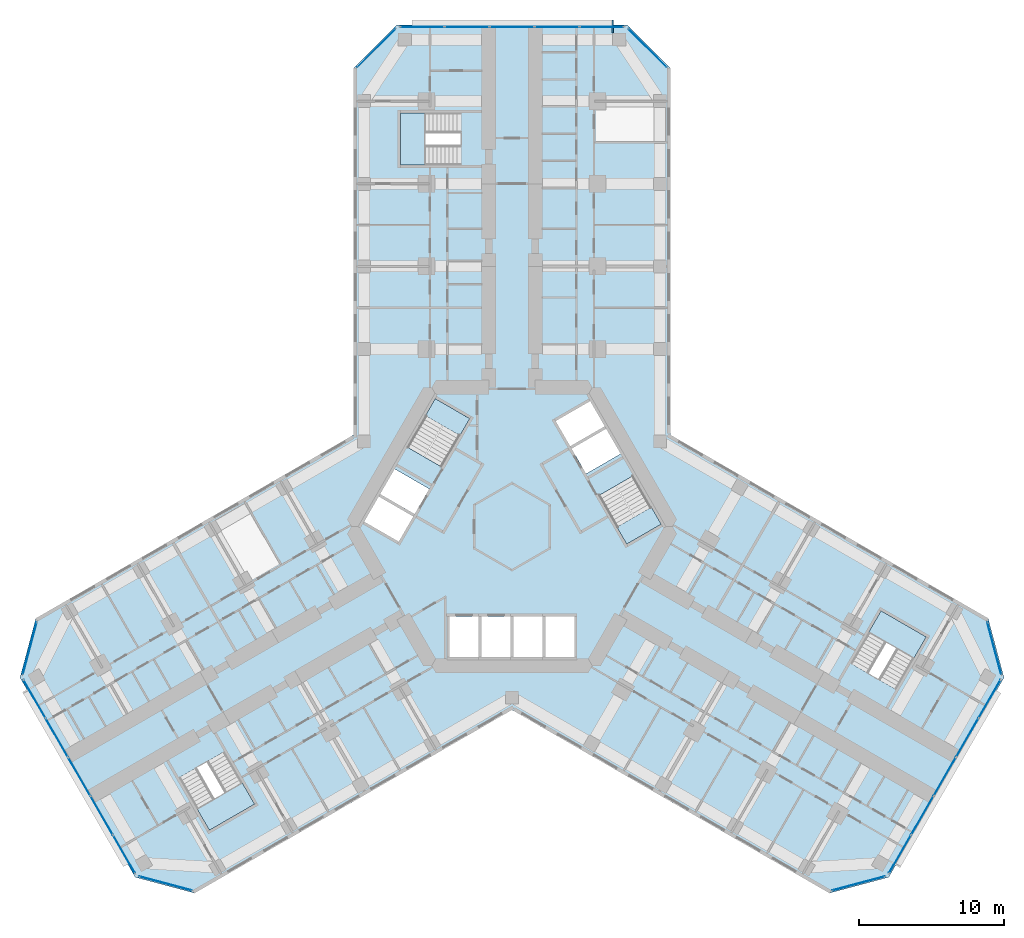
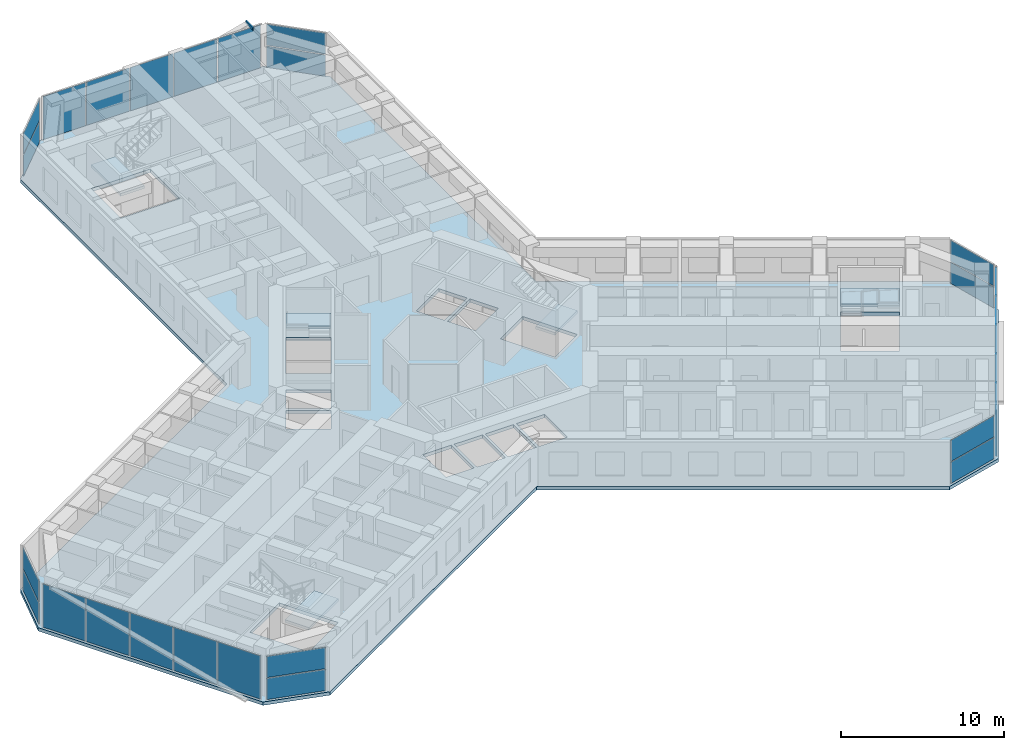
# One storey, part 9 of 22: 27 plates, 6 slabs, 1 member, 14 elements without a shape of their own.
"""IFC4 building model written with IfcOpenShell, lengths in metres."""

from ifc_helpers import new_model, si_unit, direction, frame, origin, origin_2d, place, context, subcontext, project, spatial, polyline, rectangle, hollow_rectangle, outline, extrude, material, layer, layer_set, material_profile, profile_set, type_object, element, aggregate, save


model = new_model("IFC4")

# Units and contexts
model_context = context("Model", 3, precision=1e-05, world=origin(), true_north=direction((0.0, 1.0)))
body_context = subcontext(model_context, "Body", "Model", "MODEL_VIEW")
ifc_project = project(units=[si_unit("LENGTHUNIT", "METRE"), si_unit("AREAUNIT", "SQUARE_METRE"), si_unit("VOLUMEUNIT", "CUBIC_METRE"), si_unit("PLANEANGLEUNIT", "RADIAN"), si_unit("MASSUNIT", "GRAM", prefix="KILO")], contexts=[model_context])

# Site, building, storey
site_placement = place(None, origin())
site = spatial("IfcSite", under=ifc_project, at=site_placement, CompositionType="ELEMENT")
building_placement = place(site_placement, origin())
building = spatial("IfcBuilding", under=site, at=building_placement, Name="Kosmar Iwan School Tower", CompositionType="ELEMENT")
storey_placement = place(building_placement, frame((0.0, 0.0, 95.199951171875)))
storey = spatial("IfcBuildingStorey", under=building, at=storey_placement, Name="L23", CompositionType="ELEMENT", Elevation=95.199951171875)

# Member
ifc_material_1 = material(Name="Steel S355", Category="steel")
ifc_material_profile = material_profile(ifc_material_1, hollow_rectangle(XDim=0.10009765625, YDim=0.199951171875, WallThickness=0.008056640625, at=origin_2d()), Name="RHS 200x100x8")
ifc_profile_set = profile_set([ifc_material_profile], Name="Steel S355")
member_type = type_object("IfcMemberType", Name="Fin bracket RHS 200x100", PredefinedType="USERDEFINED", material=ifc_profile_set)
member_placement = place(storey_placement, frame((6.949951171875, 34.050048828125, 3.47509765625), z_axis=(0.0, 1.0, 0.0), x_axis=(-1.0, 0.0, 0.0)))
element("IfcMember", 1, at=member_placement, inside=storey, type_object=member_type, Name="Fin bracket L24", ObjectType="FIN BRACKET", PredefinedType="USERDEFINED", context=body_context, shape_type="SweptSolid", body=[
    extrude(hollow_rectangle(XDim=0.10009765625, YDim=0.199951171875, WallThickness=0.008056640625, at=origin_2d()), origin(), (0.0, 0.0, 1.0), 0.89990234375),
])

# Curtain wall, plates
ifc_material_2 = material(Name="Dark glass in black aluminium frame", Category="aluminium")
curtain_wall_type_1 = type_object("IfcCurtainWallType", Name="Chamfer curtain wall dark glass", PredefinedType="USERDEFINED", material=ifc_material_2)
curtain_wall_1_placement = place(storey_placement, origin())
curtain_wall_1 = element("IfcCurtainWall", 2, at=curtain_wall_1_placement, inside=storey, type_object=curtain_wall_type_1, Name="Curtain wall L23-F02", ObjectType="FACETED CURTAIN WALL", PredefinedType="USERDEFINED")
ifc_material_3 = material(Name="Dark glass", Category="glass")
ifc_layer_1 = layer(ifc_material_3, 0.028076171875)
ifc_layer_set_1 = layer_set([ifc_layer_1], Name="Dark glass panel 28")
plate_type = type_object("IfcPlateType", Name="Dark glass panel 28", PredefinedType="CURTAIN_PANEL", material=ifc_layer_set_1)
plate_1_placement = place(storey_placement, frame((23.908203125, -24.61328125, 0.06005859375), z_axis=(0.0, 0.0, 1.0), x_axis=(0.965925875495, 0.258818861462, 0.0)))
plate_1 = element("IfcPlate", 3, at=plate_1_placement, type_object=plate_type, Name="CW2 panel 1.1", PredefinedType="CURTAIN_PANEL", context=body_context, shape_type="SweptSolid", body=[
    extrude(rectangle(XDim=3.718994140625, YDim=0.028076171875, at=origin_2d()), origin(), (0.0, 0.0, 1.0), 1.5849609375),
])
plate_2_placement = place(storey_placement, frame((23.908203125, -24.61328125, 1.705078125), z_axis=(0.0, 0.0, 1.0), x_axis=(0.965925875495, 0.258818861462, 0.0)))
plate_2 = element("IfcPlate", 4, at=plate_2_placement, type_object=plate_type, Name="CW2 panel 1.2", PredefinedType="CURTAIN_PANEL", context=body_context, shape_type="SweptSolid", body=[
    extrude(rectangle(XDim=3.718994140625, YDim=0.028076171875, at=origin_2d()), origin(), (0.0, 0.0, 1.0), 1.5849609375),
])
aggregate(curtain_wall_1, [plate_1, plate_2])

ifc_material_4 = material(Name="Dark glass in black aluminium frame", Category="aluminium")
curtain_wall_type_2 = type_object("IfcCurtainWallType", Name="Tower curtain wall dark glass", PredefinedType="USERDEFINED", material=ifc_material_4)
curtain_wall_2_placement = place(storey_placement, origin())
curtain_wall_2 = element("IfcCurtainWall", 5, at=curtain_wall_2_placement, inside=storey, type_object=curtain_wall_type_2, Name="Curtain wall L23-F03", ObjectType="UNITISED CURTAIN WALL", PredefinedType="USERDEFINED")
plate_3_placement = place(storey_placement, frame((26.764404296875, -22.592529296875, 0.06005859375), z_axis=(0.0, 0.0, 1.0), x_axis=(0.499999997325, 0.866025405329, 0.0)))
plate_3 = element("IfcPlate", 6, at=plate_3_placement, type_object=plate_type, Name="CW1 panel 1.1", PredefinedType="CURTAIN_PANEL", context=body_context, shape_type="SweptSolid", body=[
    extrude(rectangle(XDim=3.00927734375, YDim=0.028076171875, at=origin_2d()), origin(), (0.0, 0.0, 1.0), 3.22998046875),
])
plate_4_placement = place(storey_placement, frame((28.306640625, -19.921630859375, 0.06005859375), z_axis=(0.0, 0.0, 1.0), x_axis=(0.499999997325, 0.866025405329, 0.0)))
plate_4 = element("IfcPlate", 7, at=plate_4_placement, type_object=plate_type, Name="CW1 panel 2.1", PredefinedType="CURTAIN_PANEL", context=body_context, shape_type="SweptSolid", body=[
    extrude(rectangle(XDim=3.039306640625, YDim=0.028076171875, at=origin_2d()), origin(), (0.0, 0.0, 1.0), 3.22998046875),
])
plate_5_placement = place(storey_placement, frame((29.856201171875, -17.237548828125, 0.06005859375), z_axis=(0.0, 0.0, 1.0), x_axis=(0.499999997325, 0.866025405329, 0.0)))
plate_5 = element("IfcPlate", 8, at=plate_5_placement, type_object=plate_type, Name="CW1 panel 3.1", PredefinedType="CURTAIN_PANEL", context=body_context, shape_type="SweptSolid", body=[
    extrude(rectangle(XDim=3.039306640625, YDim=0.028076171875, at=origin_2d()), origin(), (0.0, 0.0, 1.0), 3.22998046875),
])
plate_6_placement = place(storey_placement, frame((31.40576171875, -14.553466796875, 0.06005859375), z_axis=(0.0, 0.0, 1.0), x_axis=(0.499999997325, 0.866025405329, 0.0)))
plate_6 = element("IfcPlate", 9, at=plate_6_placement, type_object=plate_type, Name="CW1 panel 4.1", PredefinedType="CURTAIN_PANEL", context=body_context, shape_type="SweptSolid", body=[
    extrude(rectangle(XDim=3.039306640625, YDim=0.028076171875, at=origin_2d()), origin(), (0.0, 0.0, 1.0), 3.22998046875),
])
plate_7_placement = place(storey_placement, frame((32.947998046875, -11.88232421875, 0.06005859375), z_axis=(0.0, 0.0, 1.0), x_axis=(0.499999997325, 0.866025405329, 0.0)))
plate_7 = element("IfcPlate", 10, at=plate_7_placement, type_object=plate_type, Name="CW1 panel 5.1", PredefinedType="CURTAIN_PANEL", context=body_context, shape_type="SweptSolid", body=[
    extrude(rectangle(XDim=3.00927734375, YDim=0.028076171875, at=origin_2d()), origin(), (0.0, 0.0, 1.0), 3.22998046875),
])
aggregate(curtain_wall_2, [plate_3, plate_4, plate_5, plate_6, plate_7])

curtain_wall_3_placement = place(storey_placement, origin())
curtain_wall_3 = element("IfcCurtainWall", 11, at=curtain_wall_3_placement, inside=storey, type_object=curtain_wall_type_1, Name="Curtain wall L23-F04", ObjectType="FACETED CURTAIN WALL", PredefinedType="USERDEFINED")
plate_8_placement = place(storey_placement, frame((33.269775390625, -8.3984375, 0.06005859375), z_axis=(0.0, 0.0, 1.0), x_axis=(-0.258818861462, 0.965925875495, 0.0)))
plate_8 = element("IfcPlate", 12, at=plate_8_placement, type_object=plate_type, Name="CW2 panel 1.1", PredefinedType="CURTAIN_PANEL", context=body_context, shape_type="SweptSolid", body=[
    extrude(rectangle(XDim=3.718994140625, YDim=0.028076171875, at=origin_2d()), origin(), (0.0, 0.0, 1.0), 1.5849609375),
])
plate_9_placement = place(storey_placement, frame((33.269775390625, -8.3984375, 1.705078125), z_axis=(0.0, 0.0, 1.0), x_axis=(-0.258818861462, 0.965925875495, 0.0)))
plate_9 = element("IfcPlate", 13, at=plate_9_placement, type_object=plate_type, Name="CW2 panel 1.2", PredefinedType="CURTAIN_PANEL", context=body_context, shape_type="SweptSolid", body=[
    extrude(rectangle(XDim=3.718994140625, YDim=0.028076171875, at=origin_2d()), origin(), (0.0, 0.0, 1.0), 1.5849609375),
])
aggregate(curtain_wall_3, [plate_8, plate_9])

curtain_wall_4_placement = place(storey_placement, origin())
curtain_wall_4 = element("IfcCurtainWall", 14, at=curtain_wall_4_placement, inside=storey, type_object=curtain_wall_type_1, Name="Curtain wall L23-F07", ObjectType="FACETED CURTAIN WALL", PredefinedType="USERDEFINED")
plate_10_placement = place(storey_placement, frame((9.361572265625, 33.01171875, 0.06005859375), z_axis=(0.0, 0.0, 1.0), x_axis=(-0.707106781187, 0.707106781187, 0.0)))
plate_10 = element("IfcPlate", 15, at=plate_10_placement, type_object=plate_type, Name="CW2 panel 1.1", PredefinedType="CURTAIN_PANEL", context=body_context, shape_type="SweptSolid", body=[
    extrude(rectangle(XDim=3.718994140625, YDim=0.028076171875, at=origin_2d()), origin(), (0.0, 0.0, 1.0), 1.5849609375),
])
plate_11_placement = place(storey_placement, frame((9.361572265625, 33.01171875, 1.705078125), z_axis=(0.0, 0.0, 1.0), x_axis=(-0.707106781187, 0.707106781187, 0.0)))
plate_11 = element("IfcPlate", 16, at=plate_11_placement, type_object=plate_type, Name="CW2 panel 1.2", PredefinedType="CURTAIN_PANEL", context=body_context, shape_type="SweptSolid", body=[
    extrude(rectangle(XDim=3.718994140625, YDim=0.028076171875, at=origin_2d()), origin(), (0.0, 0.0, 1.0), 1.5849609375),
])
aggregate(curtain_wall_4, [plate_10, plate_11])

curtain_wall_5_placement = place(storey_placement, origin())
curtain_wall_5 = element("IfcCurtainWall", 17, at=curtain_wall_5_placement, inside=storey, type_object=curtain_wall_type_2, Name="Curtain wall L23-F08", ObjectType="UNITISED CURTAIN WALL", PredefinedType="USERDEFINED")
plate_12_placement = place(storey_placement, frame((6.18359375, 34.47509765625, 0.06005859375), z_axis=(0.0, 0.0, 1.0), x_axis=(-1.0, 0.0, 0.0)))
plate_12 = element("IfcPlate", 18, at=plate_12_placement, type_object=plate_type, Name="CW1 panel 1.1", PredefinedType="CURTAIN_PANEL", context=body_context, shape_type="SweptSolid", body=[
    extrude(rectangle(XDim=3.00927734375, YDim=0.028076171875, at=origin_2d()), origin(), (0.0, 0.0, 1.0), 3.22998046875),
])
plate_13_placement = place(storey_placement, frame((3.099365234375, 34.47509765625, 0.06005859375), z_axis=(0.0, 0.0, 1.0), x_axis=(-1.0, 0.0, 0.0)))
plate_13 = element("IfcPlate", 19, at=plate_13_placement, type_object=plate_type, Name="CW1 panel 2.1", PredefinedType="CURTAIN_PANEL", context=body_context, shape_type="SweptSolid", body=[
    extrude(rectangle(XDim=3.039306640625, YDim=0.028076171875, at=origin_2d()), origin(), (0.0, 0.0, 1.0), 3.22998046875),
])
plate_14_placement = place(storey_placement, frame((0.0, 34.47509765625, 0.06005859375), z_axis=(0.0, 0.0, 1.0), x_axis=(-1.0, 0.0, 0.0)))
plate_14 = element("IfcPlate", 20, at=plate_14_placement, type_object=plate_type, Name="CW1 panel 3.1", PredefinedType="CURTAIN_PANEL", context=body_context, shape_type="SweptSolid", body=[
    extrude(rectangle(XDim=3.039306640625, YDim=0.028076171875, at=origin_2d()), origin(), (0.0, 0.0, 1.0), 3.22998046875),
])
plate_15_placement = place(storey_placement, frame((-3.099365234375, 34.47509765625, 0.06005859375), z_axis=(0.0, 0.0, 1.0), x_axis=(-1.0, 0.0, 0.0)))
plate_15 = element("IfcPlate", 21, at=plate_15_placement, type_object=plate_type, Name="CW1 panel 4.1", PredefinedType="CURTAIN_PANEL", context=body_context, shape_type="SweptSolid", body=[
    extrude(rectangle(XDim=3.039306640625, YDim=0.028076171875, at=origin_2d()), origin(), (0.0, 0.0, 1.0), 3.22998046875),
])
plate_16_placement = place(storey_placement, frame((-6.18359375, 34.47509765625, 0.06005859375), z_axis=(0.0, 0.0, 1.0), x_axis=(-1.0, 0.0, 0.0)))
plate_16 = element("IfcPlate", 22, at=plate_16_placement, type_object=plate_type, Name="CW1 panel 5.1", PredefinedType="CURTAIN_PANEL", context=body_context, shape_type="SweptSolid", body=[
    extrude(rectangle(XDim=3.00927734375, YDim=0.028076171875, at=origin_2d()), origin(), (0.0, 0.0, 1.0), 3.22998046875),
])
aggregate(curtain_wall_5, [plate_12, plate_13, plate_14, plate_15, plate_16])

curtain_wall_6_placement = place(storey_placement, origin())
curtain_wall_6 = element("IfcCurtainWall", 23, at=curtain_wall_6_placement, inside=storey, type_object=curtain_wall_type_1, Name="Curtain wall L23-F09", ObjectType="FACETED CURTAIN WALL", PredefinedType="USERDEFINED")
plate_17_placement = place(storey_placement, frame((-9.361572265625, 33.01171875, 0.06005859375), z_axis=(0.0, 0.0, 1.0), x_axis=(-0.707106781187, -0.707106781187, 0.0)))
plate_17 = element("IfcPlate", 24, at=plate_17_placement, type_object=plate_type, Name="CW2 panel 1.1", PredefinedType="CURTAIN_PANEL", context=body_context, shape_type="SweptSolid", body=[
    extrude(rectangle(XDim=3.718994140625, YDim=0.028076171875, at=origin_2d()), origin(), (0.0, 0.0, 1.0), 1.5849609375),
])
plate_18_placement = place(storey_placement, frame((-9.361572265625, 33.01171875, 1.705078125), z_axis=(0.0, 0.0, 1.0), x_axis=(-0.707106781187, -0.707106781187, 0.0)))
plate_18 = element("IfcPlate", 25, at=plate_18_placement, type_object=plate_type, Name="CW2 panel 1.2", PredefinedType="CURTAIN_PANEL", context=body_context, shape_type="SweptSolid", body=[
    extrude(rectangle(XDim=3.718994140625, YDim=0.028076171875, at=origin_2d()), origin(), (0.0, 0.0, 1.0), 1.5849609375),
])
aggregate(curtain_wall_6, [plate_17, plate_18])

curtain_wall_7_placement = place(storey_placement, origin())
curtain_wall_7 = element("IfcCurtainWall", 26, at=curtain_wall_7_placement, inside=storey, type_object=curtain_wall_type_1, Name="Curtain wall L23-F12", ObjectType="FACETED CURTAIN WALL", PredefinedType="USERDEFINED")
plate_19_placement = place(storey_placement, frame((-33.269775390625, -8.3984375, 0.06005859375), z_axis=(0.0, 0.0, 1.0), x_axis=(-0.258818861462, -0.965925875495, 0.0)))
plate_19 = element("IfcPlate", 27, at=plate_19_placement, type_object=plate_type, Name="CW2 panel 1.1", PredefinedType="CURTAIN_PANEL", context=body_context, shape_type="SweptSolid", body=[
    extrude(rectangle(XDim=3.718994140625, YDim=0.028076171875, at=origin_2d()), origin(), (0.0, 0.0, 1.0), 1.5849609375),
])
plate_20_placement = place(storey_placement, frame((-33.269775390625, -8.3984375, 1.705078125), z_axis=(0.0, 0.0, 1.0), x_axis=(-0.258818861462, -0.965925875495, 0.0)))
plate_20 = element("IfcPlate", 28, at=plate_20_placement, type_object=plate_type, Name="CW2 panel 1.2", PredefinedType="CURTAIN_PANEL", context=body_context, shape_type="SweptSolid", body=[
    extrude(rectangle(XDim=3.718994140625, YDim=0.028076171875, at=origin_2d()), origin(), (0.0, 0.0, 1.0), 1.5849609375),
])
aggregate(curtain_wall_7, [plate_19, plate_20])

curtain_wall_8_placement = place(storey_placement, origin())
curtain_wall_8 = element("IfcCurtainWall", 29, at=curtain_wall_8_placement, inside=storey, type_object=curtain_wall_type_2, Name="Curtain wall L23-F13", ObjectType="UNITISED CURTAIN WALL", PredefinedType="USERDEFINED")
plate_21_placement = place(storey_placement, frame((-32.947998046875, -11.88232421875, 0.06005859375), z_axis=(0.0, 0.0, 1.0), x_axis=(0.499999997325, -0.866025405329, 0.0)))
plate_21 = element("IfcPlate", 30, at=plate_21_placement, type_object=plate_type, Name="CW1 panel 1.1", PredefinedType="CURTAIN_PANEL", context=body_context, shape_type="SweptSolid", body=[
    extrude(rectangle(XDim=3.00927734375, YDim=0.028076171875, at=origin_2d()), origin(), (0.0, 0.0, 1.0), 3.22998046875),
])
plate_22_placement = place(storey_placement, frame((-31.40576171875, -14.553466796875, 0.06005859375), z_axis=(0.0, 0.0, 1.0), x_axis=(0.499999997325, -0.866025405329, 0.0)))
plate_22 = element("IfcPlate", 31, at=plate_22_placement, type_object=plate_type, Name="CW1 panel 2.1", PredefinedType="CURTAIN_PANEL", context=body_context, shape_type="SweptSolid", body=[
    extrude(rectangle(XDim=3.039306640625, YDim=0.028076171875, at=origin_2d()), origin(), (0.0, 0.0, 1.0), 3.22998046875),
])
plate_23_placement = place(storey_placement, frame((-29.856201171875, -17.237548828125, 0.06005859375), z_axis=(0.0, 0.0, 1.0), x_axis=(0.499999997325, -0.866025405329, 0.0)))
plate_23 = element("IfcPlate", 32, at=plate_23_placement, type_object=plate_type, Name="CW1 panel 3.1", PredefinedType="CURTAIN_PANEL", context=body_context, shape_type="SweptSolid", body=[
    extrude(rectangle(XDim=3.039306640625, YDim=0.028076171875, at=origin_2d()), origin(), (0.0, 0.0, 1.0), 3.22998046875),
])
plate_24_placement = place(storey_placement, frame((-28.306640625, -19.921630859375, 0.06005859375), z_axis=(0.0, 0.0, 1.0), x_axis=(0.499999997325, -0.866025405329, 0.0)))
plate_24 = element("IfcPlate", 33, at=plate_24_placement, type_object=plate_type, Name="CW1 panel 4.1", PredefinedType="CURTAIN_PANEL", context=body_context, shape_type="SweptSolid", body=[
    extrude(rectangle(XDim=3.039306640625, YDim=0.028076171875, at=origin_2d()), origin(), (0.0, 0.0, 1.0), 3.22998046875),
])
plate_25_placement = place(storey_placement, frame((-26.764404296875, -22.592529296875, 0.06005859375), z_axis=(0.0, 0.0, 1.0), x_axis=(0.499999997325, -0.866025405329, 0.0)))
plate_25 = element("IfcPlate", 34, at=plate_25_placement, type_object=plate_type, Name="CW1 panel 5.1", PredefinedType="CURTAIN_PANEL", context=body_context, shape_type="SweptSolid", body=[
    extrude(rectangle(XDim=3.00927734375, YDim=0.028076171875, at=origin_2d()), origin(), (0.0, 0.0, 1.0), 3.22998046875),
])
aggregate(curtain_wall_8, [plate_21, plate_22, plate_23, plate_24, plate_25])

curtain_wall_9_placement = place(storey_placement, origin())
curtain_wall_9 = element("IfcCurtainWall", 35, at=curtain_wall_9_placement, inside=storey, type_object=curtain_wall_type_1, Name="Curtain wall L23-F14", ObjectType="FACETED CURTAIN WALL", PredefinedType="USERDEFINED")
plate_26_placement = place(storey_placement, frame((-23.908203125, -24.61328125, 0.06005859375), z_axis=(0.0, 0.0, 1.0), x_axis=(0.965925875495, -0.258818861462, 0.0)))
plate_26 = element("IfcPlate", 36, at=plate_26_placement, type_object=plate_type, Name="CW2 panel 1.1", PredefinedType="CURTAIN_PANEL", context=body_context, shape_type="SweptSolid", body=[
    extrude(rectangle(XDim=3.718994140625, YDim=0.028076171875, at=origin_2d()), origin(), (0.0, 0.0, 1.0), 1.5849609375),
])
plate_27_placement = place(storey_placement, frame((-23.908203125, -24.61328125, 1.705078125), z_axis=(0.0, 0.0, 1.0), x_axis=(0.965925875495, -0.258818861462, 0.0)))
plate_27 = element("IfcPlate", 37, at=plate_27_placement, type_object=plate_type, Name="CW2 panel 1.2", PredefinedType="CURTAIN_PANEL", context=body_context, shape_type="SweptSolid", body=[
    extrude(rectangle(XDim=3.718994140625, YDim=0.028076171875, at=origin_2d()), origin(), (0.0, 0.0, 1.0), 1.5849609375),
])
aggregate(curtain_wall_9, [plate_26, plate_27])

# Stair, slab
ifc_material_5 = material(Name="Concrete C35/45", Category="concrete")
stair_type_1 = type_object("IfcStairType", Name="Escape stair 3600", PredefinedType="HALF_TURN_STAIR", material=ifc_material_5)
stair_1_placement = place(storey_placement, origin())
stair_1 = element("IfcStair", 38, at=stair_1_placement, inside=storey, type_object=stair_type_1, Name="Stair WS1 L23", PredefinedType="HALF_TURN_STAIR")
ifc_material_6 = material(Name="Concrete C35/45", Category="concrete")
ifc_layer_2 = layer(ifc_material_6, 0.199951171875)
ifc_layer_set_2 = layer_set([ifc_layer_2], Name="Escape stair landing 200")
slab_type_1 = type_object("IfcSlabType", Name="Escape stair landing 200", PredefinedType="LANDING", material=ifc_layer_set_2)
slab_1_placement = place(storey_placement, frame((0.0, 0.0, 1.60009765625)))
slab_1 = element("IfcSlab", 39, at=slab_1_placement, type_object=slab_type_1, Name="WS1 landing 1", PredefinedType="LANDING", context=body_context, shape_type="SweptSolid", body=[
    extrude(outline(polyline([(-6.0, 24.949951171875), (-6.0, 28.550048828125), (-7.699951171875, 28.550048828125), (-7.699951171875, 24.949951171875), (-6.0, 24.949951171875)])), origin(), (0.0, 0.0, 1.0), 0.199951171875),
])
aggregate(stair_1, [slab_1])

stair_2_placement = place(storey_placement, origin())
stair_2 = element("IfcStair", 40, at=stair_2_placement, inside=storey, type_object=stair_type_1, Name="Stair WS2 L23", PredefinedType="HALF_TURN_STAIR")
slab_2_placement = place(storey_placement, frame((0.0, 0.0, 1.60009765625)))
slab_2 = element("IfcSlab", 41, at=slab_2_placement, type_object=slab_type_1, Name="WS2 landing 1", PredefinedType="LANDING", context=body_context, shape_type="SweptSolid", body=[
    extrude(outline(polyline([(-18.607421875, -17.671142578125), (-21.72509765625, -19.47119140625), (-20.875, -20.943359375), (-17.75732421875, -19.143310546875), (-18.607421875, -17.671142578125)])), origin(), (0.0, 0.0, 1.0), 0.199951171875),
])
aggregate(stair_2, [slab_2])

stair_3_placement = place(storey_placement, origin())
stair_3 = element("IfcStair", 42, at=stair_3_placement, inside=storey, type_object=stair_type_1, Name="Stair WS3 L23", PredefinedType="HALF_TURN_STAIR")
slab_3_placement = place(storey_placement, frame((0.0, 0.0, 1.60009765625)))
slab_3 = element("IfcSlab", 43, at=slab_3_placement, type_object=slab_type_1, Name="WS3 landing 1", PredefinedType="LANDING", context=body_context, shape_type="SweptSolid", body=[
    extrude(outline(polyline([(24.607421875, -7.27880859375), (27.72509765625, -9.078857421875), (28.574951171875, -7.606689453125), (25.457275390625, -5.806640625), (24.607421875, -7.27880859375)])), origin(), (0.0, 0.0, 1.0), 0.199951171875),
])
aggregate(stair_3, [slab_3])

# Slab
ifc_material_7 = material(Name="Concrete C35/45", Category="concrete")
ifc_layer_3 = layer(ifc_material_7, 0.25)
ifc_layer_set_3 = layer_set([ifc_layer_3], Name="Floor slab 250")
slab_type_2 = type_object("IfcSlabType", Name="Floor slab 250", PredefinedType="FLOOR", material=ifc_layer_set_3)
slab_4_placement = place(storey_placement, frame((0.0, 0.0, -0.25)))
element("IfcSlab", 44, at=slab_4_placement, inside=storey, type_object=slab_type_2, Name="L23 floor slab", PredefinedType="FLOOR", context=body_context, shape_type="SweptSolid", body=[
    extrude(outline(polyline([(-21.891357421875, -25.282958984375), (0.0, -12.64404296875), (21.891357421875, -25.282958984375), (25.989501953125, -24.184814453125), (33.939453125, -10.4150390625), (32.84130859375, -6.317138671875), (10.949951171875, 6.322021484375), (10.949951171875, 31.60009765625), (7.949951171875, 34.60009765625), (-7.949951171875, 34.60009765625), (-10.949951171875, 31.60009765625), (-10.949951171875, 6.322021484375), (-32.84130859375, -6.317138671875), (-33.939453125, -10.4150390625), (-25.989501953125, -24.184814453125), (-21.891357421875, -25.282958984375)]), holes=[polyline([(7.91259765625, -1.205078125), (10.294189453125, 0.169921875), (8.3642578125, 3.5126953125), (5.982666015625, 2.1376953125), (7.91259765625, -1.205078125)]), polyline([(-2.91259765625, 7.455078125), (-5.294189453125, 8.830078125), (-7.22412109375, 5.4873046875), (-4.8427734375, 4.1123046875), (-2.91259765625, 7.455078125)]), polyline([(-5.712646484375, 2.60546875), (-8.09423828125, 3.98046875), (-9.09423828125, 2.248291015625), (-6.712646484375, 0.873291015625), (-5.712646484375, 2.60546875)]), polyline([(-6.812744140625, 0.7001953125), (-9.1943359375, 2.0751953125), (-10.1943359375, 0.343017578125), (-7.812744140625, -1.031982421875), (-6.812744140625, 0.7001953125)]), polyline([(5.112548828125, 3.64453125), (7.494140625, 5.01953125), (6.494140625, 6.751708984375), (4.112548828125, 5.376708984375), (5.112548828125, 3.64453125)]), polyline([(4.0126953125, 5.5498046875), (6.394287109375, 6.9248046875), (5.394287109375, 8.656982421875), (3.0126953125, 7.281982421875), (4.0126953125, 5.5498046875)]), polyline([(-4.300048828125, -6.199951171875), (-4.300048828125, -9.0), (-2.300048828125, -9.0), (-2.300048828125, -6.199951171875), (-4.300048828125, -6.199951171875)]), polyline([(-2.10009765625, -6.199951171875), (-2.10009765625, -9.0), (-0.10009765625, -9.0), (-0.10009765625, -6.199951171875), (-2.10009765625, -6.199951171875)]), polyline([(0.10009765625, -6.199951171875), (0.10009765625, -9.0), (2.10009765625, -9.0), (2.10009765625, -6.199951171875), (0.10009765625, -6.199951171875)]), polyline([(2.300048828125, -6.199951171875), (2.300048828125, -9.0), (4.300048828125, -9.0), (4.300048828125, -6.199951171875), (2.300048828125, -6.199951171875)]), polyline([(-3.52001953125, 24.949951171875), (-3.52001953125, 28.550048828125), (-7.699951171875, 28.550048828125), (-7.699951171875, 24.949951171875), (-3.52001953125, 24.949951171875)]), polyline([(-19.847412109375, -15.5234375), (-22.965087890625, -17.323486328125), (-20.875, -20.943359375), (-17.75732421875, -19.143310546875), (-19.847412109375, -15.5234375)]), polyline([(23.367431640625, -9.426513671875), (26.485107421875, -11.2265625), (28.574951171875, -7.606689453125), (25.457275390625, -5.806640625), (23.367431640625, -9.426513671875)])]), origin(), (0.0, 0.0, 1.0), 0.25),
])

# Stair, slab
ifc_material_8 = material(Name="Concrete C35/45", Category="concrete")
stair_type_2 = type_object("IfcStairType", Name="Core stair 2750", PredefinedType="HALF_TURN_STAIR", material=ifc_material_8)
stair_4_placement = place(storey_placement, origin())
stair_4 = element("IfcStair", 45, at=stair_4_placement, inside=storey, type_object=stair_type_2, Name="Stair ST2 L23", PredefinedType="HALF_TURN_STAIR")
ifc_material_9 = material(Name="Concrete C35/45", Category="concrete")
ifc_layer_4 = layer(ifc_material_9, 0.199951171875)
ifc_layer_set_4 = layer_set([ifc_layer_4], Name="Stair landing 200")
slab_type_3 = type_object("IfcSlabType", Name="Stair landing 200", PredefinedType="LANDING", material=ifc_layer_set_4)
slab_5_placement = place(storey_placement, frame((0.0, 0.0, 1.60009765625)))
slab_5 = element("IfcSlab", 46, at=slab_5_placement, type_object=slab_type_3, Name="ST2 landing 1", PredefinedType="LANDING", context=body_context, shape_type="SweptSolid", body=[
    extrude(outline(polyline([(-2.91259765625, 7.455078125), (-5.294189453125, 8.830078125), (-5.97412109375, 7.65234375), (-3.5927734375, 6.27734375), (-2.91259765625, 7.455078125)])), origin(), (0.0, 0.0, 1.0), 0.199951171875),
])
aggregate(stair_4, [slab_5])

stair_5_placement = place(storey_placement, origin())
stair_5 = element("IfcStair", 47, at=stair_5_placement, inside=storey, type_object=stair_type_2, Name="Stair ST1 L23", PredefinedType="HALF_TURN_STAIR")
slab_6_placement = place(storey_placement, frame((0.0, 0.0, 1.60009765625)))
slab_6 = element("IfcSlab", 48, at=slab_6_placement, type_object=slab_type_3, Name="ST1 landing 1", PredefinedType="LANDING", context=body_context, shape_type="SweptSolid", body=[
    extrude(outline(polyline([(7.91259765625, -1.205078125), (10.294189453125, 0.169921875), (9.6142578125, 1.34765625), (7.232666015625, -0.02734375), (7.91259765625, -1.205078125)])), origin(), (0.0, 0.0, 1.0), 0.199951171875),
])
aggregate(stair_5, [slab_6])

save(model, "model.ifc")
